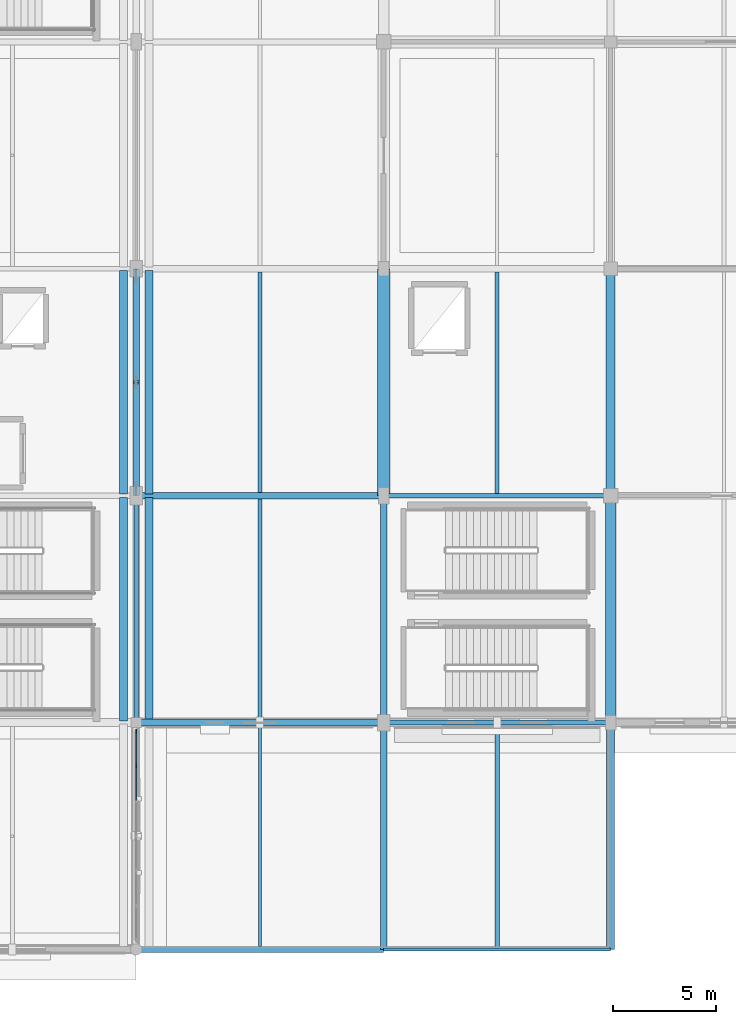
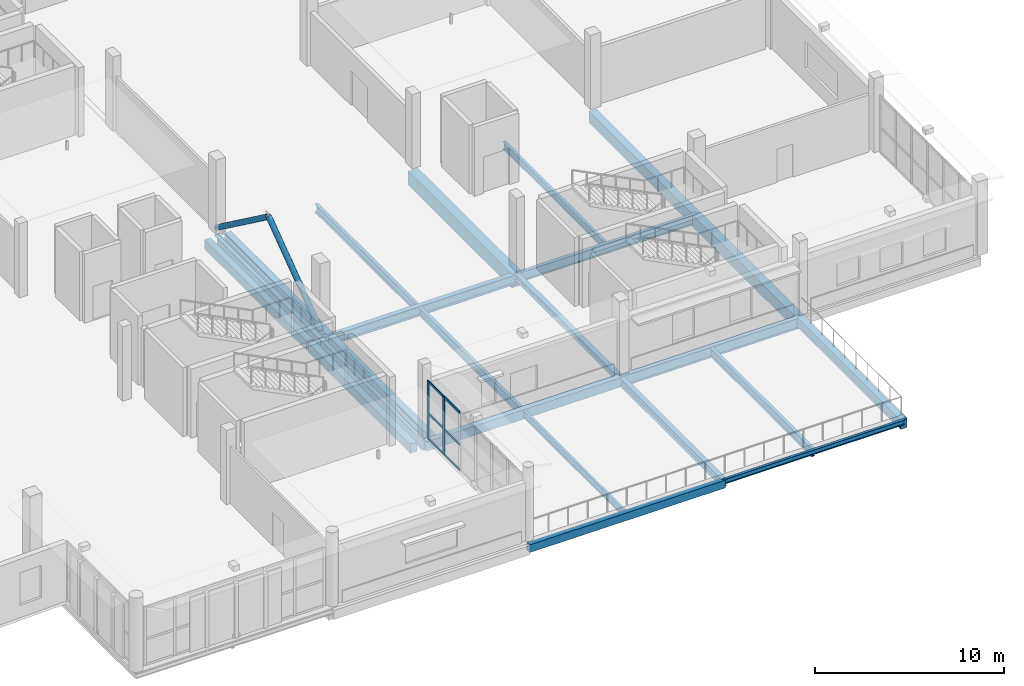
# One storey, part 58 of 143: 23 beams, 10 members, 1 element without a shape of its own.
"""IFC4 building model written with IfcOpenShell, lengths in metres."""

import ifcopenshell
import ifcopenshell.guid

model = None  # the IFC model being written
_history = None  # IfcOwnerHistory: only IFC2X3 demands one
_inside = {}  # id of a spatial element -> (the spatial element, [elements in it])
_under = {}  # id of a project, library or spatial element -> (it, [spatial elements below it])
_declared = {}  # id of a project -> (the project, [libraries it declares])
_typed = {}  # id of a type object -> (the type object, [elements of that type])
_made_of = {}  # id of a material, layer set ... -> (it, [elements and type objects made of it])


def new_model(schema):
    """Start an empty IFC model of exactly this schema.

    Asked for "IFC4X3", IfcOpenShell would pick the latest addendum, in which some entities
    have other attributes; the version numbers below select the first issue.
    IFC2X3 requires an IfcOwnerHistory on every rooted entity: one is made here for all.
    """
    global model, _history
    if schema == "IFC4X3":
        model = ifcopenshell.file(schema_version=(4, 3, 0, 0))
    else:
        model = ifcopenshell.file(schema=schema)
    _inside.clear()
    _under.clear()
    _declared.clear()
    _typed.clear()
    _made_of.clear()
    _history = None
    if model.schema == "IFC2X3":
        org = make("IfcOrganization", Name="unknown")
        user = make(
            "IfcPersonAndOrganization",
            ThePerson=make("IfcPerson", FamilyName="unknown"),
            TheOrganization=org,
        )
        app = make(
            "IfcApplication",
            ApplicationDeveloper=org,
            Version="unknown",
            ApplicationFullName="unknown",
            ApplicationIdentifier="unknown",
        )
        _history = make(
            "IfcOwnerHistory",
            OwningUser=user,
            OwningApplication=app,
            ChangeAction="ADDED",
            CreationDate=0,
        )
    return model


def make(cls, **values):
    """One entity of the class cls with the attributes given. An attribute that is None is left unset."""
    return model.create_entity(
        cls, **{name: value for name, value in values.items() if value is not None}
    )


def rooted(cls, **values):
    """An entity with a GlobalId (a new one), such as an element, a storey or a relation."""
    return make(cls, GlobalId=ifcopenshell.guid.new(), OwnerHistory=_history, **values)


def si_unit(unit_type, name, prefix=None):
    """IfcSIUnit, for example si_unit("LENGTHUNIT", "METRE", prefix="MILLI")."""
    return make("IfcSIUnit", UnitType=unit_type, Prefix=prefix, Name=name)


def assignment(units):
    """IfcUnitAssignment: the units of a project."""
    return None if units is None else make("IfcUnitAssignment", Units=units)


def point(xyz):
    """IfcCartesianPoint."""
    return None if xyz is None else make("IfcCartesianPoint", Coordinates=xyz)


def direction(xyz):
    """IfcDirection."""
    return None if xyz is None else make("IfcDirection", DirectionRatios=xyz)


def frame(location, z_axis=None, x_axis=None):
    """IfcAxis2Placement3D, a coordinate frame: its origin and axes. An axis left out is left unset."""
    return make(
        "IfcAxis2Placement3D",
        Location=point(location),
        Axis=direction(z_axis),
        RefDirection=direction(x_axis),
    )


def frame_2d(location, x_axis=None):
    """IfcAxis2Placement2D, a coordinate frame in the plane: its origin and x axis."""
    return make(
        "IfcAxis2Placement2D", Location=point(location), RefDirection=direction(x_axis)
    )


def origin():
    """The frame at (0, 0, 0) with its axes left unset."""
    return frame((0.0, 0.0, 0.0))


def origin_2d():
    """The frame at (0, 0) in the plane with its x axis left unset."""
    return frame_2d((0.0, 0.0))


def place(relative_to, where):
    """IfcLocalPlacement: puts the frame where relative to a parent placement (None: the world)."""
    return make(
        "IfcLocalPlacement", PlacementRelTo=relative_to, RelativePlacement=where
    )


def context(
    kind, dimensions, precision=None, world=None, true_north=None, identifier=None
):
    """IfcGeometricRepresentationContext, for example the 3D "Model" context."""
    return make(
        "IfcGeometricRepresentationContext",
        ContextIdentifier=identifier,
        ContextType=kind,
        CoordinateSpaceDimension=dimensions,
        Precision=precision,
        WorldCoordinateSystem=world,
        TrueNorth=true_north,
    )


def subcontext(parent, identifier, kind, view, scale=None):
    """IfcGeometricRepresentationSubContext, for example "Body" below "Model"."""
    return make(
        "IfcGeometricRepresentationSubContext",
        ContextIdentifier=identifier,
        ContextType=kind,
        ParentContext=parent,
        TargetScale=scale,
        TargetView=view,
    )


def project(units=None, contexts=None):
    """IfcProject with its units and contexts."""
    return rooted(
        "IfcProject",
        Name="project",
        RepresentationContexts=contexts,
        UnitsInContext=assignment(units),
    )


def spatial(cls, under=None, at=None, **own):
    """A site, building, storey or space (cls), placed at a placement, below another one or the project."""
    s = rooted(cls, ObjectPlacement=at, **own)
    if under is not None:
        _under.setdefault(under.id(), (under, []))[1].append(s)
    return s


def profile(cls, at=None, kind="AREA", **sizes):
    """A parametric profile (cls). Its sizes go by their IFC names, for example OverallWidth=200.0."""
    return make(cls, ProfileType=kind, Position=at, **sizes)


def rectangle(**sizes):
    """IfcRectangleProfileDef."""
    return profile("IfcRectangleProfileDef", **sizes)


def hollow_rectangle(**sizes):
    """IfcRectangleHollowProfileDef."""
    return profile("IfcRectangleHollowProfileDef", **sizes)


def hollow_circle(**sizes):
    """IfcCircleHollowProfileDef."""
    return profile("IfcCircleHollowProfileDef", **sizes)


def i_section(**sizes):
    """IfcIShapeProfileDef."""
    return profile("IfcIShapeProfileDef", **sizes)


def extrude(swept, where, along, depth):
    """IfcExtrudedAreaSolid: the profile swept, set in the frame where, extruded along a direction by depth."""
    return make(
        "IfcExtrudedAreaSolid",
        SweptArea=swept,
        Position=where,
        ExtrudedDirection=direction(along),
        Depth=depth,
    )


def shape(context_of_items, identifier, shape_type, items):
    """IfcShapeRepresentation: the items that make up one representation, for example the "Body"."""
    return make(
        "IfcShapeRepresentation",
        ContextOfItems=context_of_items,
        RepresentationIdentifier=identifier,
        RepresentationType=shape_type,
        Items=items,
    )


def material(Name=None, Category=None):
    """IfcMaterial."""
    return make("IfcMaterial", Name=Name, Category=Category)


def material_profile(
    of_material, cross_section, Name=None, Category=None, Priority=None
):
    """IfcMaterialProfile: a cross section and its material."""
    return make(
        "IfcMaterialProfile",
        Name=Name,
        Material=of_material,
        Profile=cross_section,
        Priority=Priority,
        Category=Category,
    )


def profile_set(profiles, Name=None, composite=None):
    """IfcMaterialProfileSet."""
    return make(
        "IfcMaterialProfileSet",
        Name=Name,
        MaterialProfiles=profiles,
        CompositeProfile=composite,
    )


def made_of(thing, what):
    """Note that an element or type object is made of a material, layer set ...; save() writes the relation."""
    if what is not None:
        _made_of.setdefault(what.id(), (what, []))[1].append(thing)
    return thing


def type_object(cls, material=None, **own):
    """A type object (cls), such as IfcWallType, which elements share."""
    return made_of(rooted(cls, **own), material)


def element(
    cls,
    number,
    at=None,
    inside=None,
    cuts=None,
    type_object=None,
    material=None,
    context=None,
    identifier="Body",
    shape_type=None,
    held_by="IfcProductDefinitionShape",
    body=None,
    shapes=None,
    **own,
):
    """One element of the class cls, such as IfcWall. Its Tag is "e" and its number.

    at: its placement. inside: the storey or other place that contains it. cuts: it is an
    opening in that element (IfcRelVoidsElement). A single representation is given by context,
    identifier, shape_type and body (its items); several are given by shapes. held_by: the class
    of the entity that holds the representations. save() writes the other relations.
    """
    e = rooted(cls, Tag="e%d" % number, ObjectPlacement=at, **own)
    if body is not None:
        shapes = [shape(context, identifier, shape_type, body)]
    if shapes is not None:
        e.Representation = make(held_by, Representations=shapes)
    if inside is not None:
        _inside.setdefault(inside.id(), (inside, []))[1].append(e)
    if cuts is not None:
        rooted(
            "IfcRelVoidsElement", RelatingBuildingElement=cuts, RelatedOpeningElement=e
        )
    if type_object is not None:
        _typed.setdefault(type_object.id(), (type_object, []))[1].append(e)
    return made_of(e, material)


def aggregate(whole, parts):
    """IfcRelAggregates: a whole, such as a stair, and the parts it consists of."""
    return rooted("IfcRelAggregates", RelatingObject=whole, RelatedObjects=parts)


def save(model, path):
    """Write the relations noted so far, then the file.

    IfcRelAggregates (storeys below a building ...), IfcRelContainedInSpatialStructure (elements
    in a storey), IfcRelDefinesByType, IfcRelAssociatesMaterial and IfcRelDeclares: one each for
    every whole, place, type object, material and project.
    """
    for whole, parts in _under.values():
        aggregate(whole, parts)
    for where, things in _inside.values():
        rooted(
            "IfcRelContainedInSpatialStructure",
            RelatedElements=things,
            RelatingStructure=where,
        )
    for kind, things in _typed.values():
        rooted("IfcRelDefinesByType", RelatedObjects=things, RelatingType=kind)
    for what, things in _made_of.values():
        rooted("IfcRelAssociatesMaterial", RelatedObjects=things, RelatingMaterial=what)
    for by, libraries in _declared.values():
        rooted("IfcRelDeclares", RelatingContext=by, RelatedDefinitions=libraries)
    model.write(path)


model = new_model("IFC4")

# Units and contexts
model_context = context("Model", 3, precision=1e-05, world=origin(), true_north=direction((0.0, 1.0)))
body_context = subcontext(model_context, "Body", "Model", "MODEL_VIEW")
ifc_project = project(units=[si_unit("LENGTHUNIT", "METRE"), si_unit("AREAUNIT", "SQUARE_METRE"), si_unit("VOLUMEUNIT", "CUBIC_METRE"), si_unit("PLANEANGLEUNIT", "RADIAN"), si_unit("MASSUNIT", "GRAM", prefix="KILO")], contexts=[model_context])

# Site, building, storey
site_placement = place(None, origin())
site = spatial("IfcSite", under=ifc_project, at=site_placement, CompositionType="ELEMENT")
building_placement = place(site_placement, origin())
building = spatial("IfcBuilding", under=site, at=building_placement, Name="Luwafu Chhajja Arena", CompositionType="ELEMENT")
storey_placement = place(building_placement, frame((0.0, 0.0, 5.39990234375)))
storey = spatial("IfcBuildingStorey", under=building, at=storey_placement, Name="L01", CompositionType="ELEMENT", Elevation=5.39990234375)

# Beam
ifc_material_1 = material(Name="Concrete C35/45", Category="concrete")
ifc_material_profile_1 = material_profile(ifc_material_1, rectangle(XDim=0.35009765625, YDim=0.60009765625, at=origin_2d()), Name="RC 350x600")
ifc_profile_set_1 = profile_set([ifc_material_profile_1], Name="Concrete C35/45")
beam_type_1 = type_object("IfcBeamType", Name="Arcade Tie Beam RC 350x600", PredefinedType="BEAM", material=ifc_profile_set_1)
beam_1_placement = place(storey_placement, frame((164.0, 11.0, -0.6298828125), z_axis=(1.0, 0.0, 0.0), x_axis=(0.0, 1.0, 0.0)))
element("IfcBeam", 1, at=beam_1_placement, inside=storey, type_object=beam_type_1, Name="L01 Grid Beam 15-16/B", PredefinedType="BEAM", context=body_context, shape_type="SweptSolid", body=[
    extrude(rectangle(XDim=0.35009765625, YDim=0.60009765625, at=origin_2d()), origin(), (0.0, 0.0, 1.0), 12.0),
])

# Curtain wall, members
ifc_material_2 = material(Name="Anodised bronze aluminium", Category="aluminium")
curtain_wall_type = type_object("IfcCurtainWallType", Name="Foyer Luwafu Street Curtain Wall", PredefinedType="USERDEFINED", material=ifc_material_2)
curtain_wall_placement = place(storey_placement, origin())
curtain_wall = element("IfcCurtainWall", 2, at=curtain_wall_placement, inside=storey, type_object=curtain_wall_type, Name="L01 Curtain Wall CWG-L01-V14_00", ObjectType="CURTAIN WALL", PredefinedType="USERDEFINED")
ifc_material_profile_2 = material_profile(ifc_material_2, rectangle(XDim=0.06494140625, YDim=0.199951171875, at=origin_2d()), Name="CWM 65x200")
ifc_profile_set_2 = profile_set([ifc_material_profile_2], Name="Anodised bronze aluminium")
member_type_1 = type_object("IfcMemberType", Name="Bronze Curtain Wall Mullion 65x200", PredefinedType="MULLION", material=ifc_profile_set_2)
member_1_placement = place(storey_placement, frame((164.0, 8.910888671875, 0.030029296875), z_axis=(0.0, 0.0, 1.0), x_axis=(-1.0, 0.0, 0.0)))
member_1 = element("IfcMember", 3, at=member_1_placement, type_object=member_type_1, Name="CW-05 mullion 6", PredefinedType="MULLION", context=body_context, shape_type="SweptSolid", body=[
    extrude(rectangle(XDim=0.06494140625, YDim=0.199951171875, at=origin_2d()), origin(), (0.0, 0.0, 1.0), 3.760009765625),
])
member_2_placement = place(storey_placement, frame((164.0, 10.577392578125, 0.030029296875), z_axis=(0.0, 0.0, 1.0), x_axis=(-1.0, 0.0, 0.0)))
member_2 = element("IfcMember", 4, at=member_2_placement, type_object=member_type_1, Name="CW-05 mullion 7", PredefinedType="MULLION", context=body_context, shape_type="SweptSolid", body=[
    extrude(rectangle(XDim=0.06494140625, YDim=0.199951171875, at=origin_2d()), origin(), (0.0, 0.0, 1.0), 3.760009765625),
])
ifc_material_profile_3 = material_profile(ifc_material_2, rectangle(XDim=0.06494140625, YDim=0.14990234375, at=origin_2d()), Name="CWT 65x150")
ifc_profile_set_3 = profile_set([ifc_material_profile_3], Name="Anodised bronze aluminium")
member_type_2 = type_object("IfcMemberType", Name="Bronze Curtain Wall Transom 65x150", PredefinedType="USERDEFINED", material=ifc_profile_set_3)
member_3_placement = place(storey_placement, frame((164.0, 7.244140625, 0.0625), z_axis=(0.0, 1.0, 0.0), x_axis=(-1.0, 0.0, 0.0)))
member_3 = element("IfcMember", 5, at=member_3_placement, type_object=member_type_2, Name="CW-05 transom 5.1", ObjectType="TRANSOM", PredefinedType="USERDEFINED", context=body_context, shape_type="SweptSolid", body=[
    extrude(rectangle(XDim=0.06494140625, YDim=0.14990234375, at=origin_2d()), origin(), (0.0, 0.0, 1.0), 1.63427734375),
])
member_4_placement = place(storey_placement, frame((164.0, 7.244140625, 1.70556640625), z_axis=(0.0, 1.0, 0.0), x_axis=(-1.0, 0.0, 0.0)))
member_4 = element("IfcMember", 6, at=member_4_placement, type_object=member_type_2, Name="CW-05 transom 5.2", ObjectType="TRANSOM", PredefinedType="USERDEFINED", context=body_context, shape_type="SweptSolid", body=[
    extrude(rectangle(XDim=0.06494140625, YDim=0.14990234375, at=origin_2d()), origin(), (0.0, 0.0, 1.0), 1.63427734375),
])
member_5_placement = place(storey_placement, frame((164.0, 7.244140625, 3.757568359375), z_axis=(0.0, 1.0, 0.0), x_axis=(-1.0, 0.0, 0.0)))
member_5 = element("IfcMember", 7, at=member_5_placement, type_object=member_type_2, Name="CW-05 transom 5.3", ObjectType="TRANSOM", PredefinedType="USERDEFINED", context=body_context, shape_type="SweptSolid", body=[
    extrude(rectangle(XDim=0.06494140625, YDim=0.14990234375, at=origin_2d()), origin(), (0.0, 0.0, 1.0), 1.63427734375),
])
member_6_placement = place(storey_placement, frame((164.0, 8.943359375, 0.0625), z_axis=(0.0, 1.0, 0.0), x_axis=(-1.0, 0.0, 0.0)))
member_6 = element("IfcMember", 8, at=member_6_placement, type_object=member_type_2, Name="CW-05 transom 6.1", ObjectType="TRANSOM", PredefinedType="USERDEFINED", context=body_context, shape_type="SweptSolid", body=[
    extrude(rectangle(XDim=0.06494140625, YDim=0.14990234375, at=origin_2d()), origin(), (0.0, 0.0, 1.0), 1.6015625),
])
member_7_placement = place(storey_placement, frame((164.0, 8.943359375, 1.70556640625), z_axis=(0.0, 1.0, 0.0), x_axis=(-1.0, 0.0, 0.0)))
member_7 = element("IfcMember", 9, at=member_7_placement, type_object=member_type_2, Name="CW-05 transom 6.2", ObjectType="TRANSOM", PredefinedType="USERDEFINED", context=body_context, shape_type="SweptSolid", body=[
    extrude(rectangle(XDim=0.06494140625, YDim=0.14990234375, at=origin_2d()), origin(), (0.0, 0.0, 1.0), 1.6015625),
])
member_8_placement = place(storey_placement, frame((164.0, 8.943359375, 3.757568359375), z_axis=(0.0, 1.0, 0.0), x_axis=(-1.0, 0.0, 0.0)))
member_8 = element("IfcMember", 10, at=member_8_placement, type_object=member_type_2, Name="CW-05 transom 6.3", ObjectType="TRANSOM", PredefinedType="USERDEFINED", context=body_context, shape_type="SweptSolid", body=[
    extrude(rectangle(XDim=0.06494140625, YDim=0.14990234375, at=origin_2d()), origin(), (0.0, 0.0, 1.0), 1.6015625),
])
aggregate(curtain_wall, [member_1, member_2, member_3, member_4, member_5, member_6, member_7, member_8])

# Beams
ifc_material_3 = material(Name="Steel S355", Category="steel")
ifc_material_profile_4 = material_profile(ifc_material_3, i_section(OverallWidth=0.165771484375, OverallDepth=0.306640625, WebThickness=0.006591796875, FlangeThickness=0.01171875, at=origin_2d()), Name="UB 305x165x46")
ifc_profile_set_4 = profile_set([ifc_material_profile_4], Name="Steel S355")
beam_type_2 = type_object("IfcBeamType", Name="Concourse Edge Spandrel Beam UB 305x165x46", PredefinedType="SPANDREL", material=ifc_profile_set_4)
beam_2_placement = place(storey_placement, frame((176.0, 0.0, -0.483154296875), z_axis=(1.0, 0.0, 0.0), x_axis=(0.0, 1.0, 0.0)))
element("IfcBeam", 11, at=beam_2_placement, inside=storey, type_object=beam_type_2, Name="L01 Grid Beam 16-17/A", PredefinedType="SPANDREL", context=body_context, shape_type="SweptSolid", body=[
    extrude(i_section(OverallWidth=0.165771484375, OverallDepth=0.306640625, WebThickness=0.006591796875, FlangeThickness=0.01171875, at=origin_2d()), origin(), (0.0, 0.0, 1.0), 11.0),
])
ifc_material_profile_5 = material_profile(ifc_material_1, rectangle(XDim=0.60009765625, YDim=0.89990234375, at=origin_2d()), Name="RC 600x900")
ifc_profile_set_5 = profile_set([ifc_material_profile_5], Name="Concrete C35/45")
beam_type_3 = type_object("IfcBeamType", Name="Concourse Primary Girder RC 600x900", PredefinedType="BEAM", material=ifc_profile_set_5)
beam_3_placement = place(storey_placement, frame((176.0, 22.0, -0.77978515625), z_axis=(0.0, 1.0, 0.0), x_axis=(-1.0, 0.0, 0.0)))
element("IfcBeam", 12, at=beam_3_placement, inside=storey, type_object=beam_type_3, Name="L01 Grid Beam 16/C-D", PredefinedType="BEAM", context=body_context, shape_type="SweptSolid", body=[
    extrude(rectangle(XDim=0.60009765625, YDim=0.89990234375, at=origin_2d()), origin(), (0.0, 0.0, 1.0), 11.0),
])

# Members
ifc_material_profile_6 = material_profile(ifc_material_3, hollow_circle(Radius=0.161865234375, WallThickness=0.012451171875, at=origin_2d()), Name="CHS 323.9x12.5")
ifc_profile_set_6 = profile_set([ifc_material_profile_6], Name="Steel S355")
member_type_3 = type_object("IfcMemberType", Name="Drum Lateral Chevron Brace CHS 324", PredefinedType="BRACE", material=ifc_profile_set_6)
for number, where, z_axis, x_axis, name in (
    (13, (164.0, 22.0, 0.1201171875), (0.0, 0.805936154003, 0.592002462555), (-1.0, 0.0, 0.0), "L01 Lateral Chevron Brace 08A"),
    (14, (164.0, 33.0, 0.1201171875), (0.0, -0.805936154003, 0.592002462555), (1.0, 0.0, 0.0), "L01 Lateral Chevron Brace 08B"),
):
    element("IfcMember", number, at=place(storey_placement, frame(where, z_axis=z_axis, x_axis=x_axis)), inside=storey, type_object=member_type_3, Name=name, PredefinedType="BRACE", context=body_context, shape_type="SweptSolid", body=[
        extrude(hollow_circle(Radius=0.161865234375, WallThickness=0.012451171875, at=origin_2d()), origin(), (0.0, 0.0, 1.0), 6.824462890625),
    ])

# Beams
ifc_material_profile_7 = material_profile(ifc_material_3, i_section(OverallWidth=0.15283203125, OverallDepth=0.45458984375, WebThickness=0.008056640625, FlangeThickness=0.01318359375, at=origin_2d()), Name="UB 457x152x60")
ifc_profile_set_7 = profile_set([ifc_material_profile_7], Name="Steel S355")
beam_type_4 = type_object("IfcBeamType", Name="Floor Joist UB 457x152x60", PredefinedType="JOIST", material=ifc_profile_set_7)
beam_4_placement = place(storey_placement, frame((170.0, 0.14990234375, -0.55712890625), z_axis=(0.0, 1.0, 0.0), x_axis=(-1.0, 0.0, 0.0)))
element("IfcBeam", 15, at=beam_4_placement, inside=storey, type_object=beam_type_4, Name="L01 Secondary Joist 15-16/A", PredefinedType="JOIST", context=body_context, shape_type="SweptSolid", body=[
    extrude(i_section(OverallWidth=0.15283203125, OverallDepth=0.45458984375, WebThickness=0.008056640625, FlangeThickness=0.01318359375, at=origin_2d()), origin(), (0.0, 0.0, 1.0), 10.675048828125),
])
ifc_material_profile_8 = material_profile(ifc_material_3, i_section(OverallWidth=0.19140625, OverallDepth=0.4599609375, WebThickness=0.010009765625, FlangeThickness=0.01611328125, at=origin_2d()), Name="UB 457x191x82")
ifc_profile_set_8 = profile_set([ifc_material_profile_8], Name="Steel S355")
beam_type_5 = type_object("IfcBeamType", Name="Floor Joist UB 457x191x82", PredefinedType="JOIST", material=ifc_profile_set_8)
beam_5_placement = place(storey_placement, frame((181.5, 22.114501953125, -0.559814453125), z_axis=(0.0, 1.0, 0.0), x_axis=(-1.0, 0.0, 0.0)))
element("IfcBeam", 16, at=beam_5_placement, inside=storey, type_object=beam_type_5, Name="L01 Secondary Joist 16-17/C", PredefinedType="JOIST", context=body_context, shape_type="SweptSolid", body=[
    extrude(i_section(OverallWidth=0.19140625, OverallDepth=0.4599609375, WebThickness=0.010009765625, FlangeThickness=0.01611328125, at=origin_2d()), origin(), (0.0, 0.0, 1.0), 10.735595703125),
])
ifc_material_profile_9 = material_profile(ifc_material_3, i_section(OverallWidth=0.2099609375, OverallDepth=0.53662109375, WebThickness=0.0107421875, FlangeThickness=0.017333984375, at=origin_2d()), Name="UB 533x210x101")
ifc_profile_set_9 = profile_set([ifc_material_profile_9], Name="Steel S355")
beam_type_6 = type_object("IfcBeamType", Name="Floor Joist UB 533x210x101", PredefinedType="JOIST", material=ifc_profile_set_9)
beam_6_placement = place(storey_placement, frame((170.0, 11.175048828125, -0.59814453125), z_axis=(0.0, 1.0, 0.0), x_axis=(-1.0, 0.0, 0.0)))
element("IfcBeam", 17, at=beam_6_placement, inside=storey, type_object=beam_type_6, Name="L01 Secondary Joist 15-16/B", PredefinedType="JOIST", context=body_context, shape_type="SweptSolid", body=[
    extrude(i_section(OverallWidth=0.2099609375, OverallDepth=0.53662109375, WebThickness=0.0107421875, FlangeThickness=0.017333984375, at=origin_2d()), origin(), (0.0, 0.0, 1.0), 10.67138671875),
])
beam_7_placement = place(storey_placement, frame((181.5, 0.082763671875, -0.59814453125), z_axis=(0.0, 1.0, 0.0), x_axis=(-1.0, 0.0, 0.0)))
element("IfcBeam", 18, at=beam_7_placement, inside=storey, type_object=beam_type_6, Name="L01 Secondary Joist 16-17/A", PredefinedType="JOIST", context=body_context, shape_type="SweptSolid", body=[
    extrude(i_section(OverallWidth=0.2099609375, OverallDepth=0.53662109375, WebThickness=0.0107421875, FlangeThickness=0.017333984375, at=origin_2d()), origin(), (0.0, 0.0, 1.0), 10.79052734375),
])
ifc_material_profile_10 = material_profile(ifc_material_3, i_section(OverallWidth=0.209228515625, OverallDepth=0.533203125, WebThickness=0.010009765625, FlangeThickness=0.015625, at=origin_2d()), Name="UB 533x210x92")
ifc_profile_set_10 = profile_set([ifc_material_profile_10], Name="Steel S355")
beam_type_7 = type_object("IfcBeamType", Name="Floor Joist UB 533x210x92", PredefinedType="JOIST", material=ifc_profile_set_10)
beam_8_placement = place(storey_placement, frame((170.0, 22.153564453125, -0.596435546875), z_axis=(0.0, 1.0, 0.0), x_axis=(-1.0, 0.0, 0.0)))
element("IfcBeam", 19, at=beam_8_placement, inside=storey, type_object=beam_type_7, Name="L01 Secondary Joist 15-16/C", PredefinedType="JOIST", context=body_context, shape_type="SweptSolid", body=[
    extrude(i_section(OverallWidth=0.209228515625, OverallDepth=0.533203125, WebThickness=0.010009765625, FlangeThickness=0.015625, at=origin_2d()), origin(), (0.0, 0.0, 1.0), 10.696533203125),
])
ifc_material_profile_11 = material_profile(ifc_material_1, rectangle(XDim=0.5, YDim=0.800048828125, at=origin_2d()), Name="RC 500x800")
ifc_profile_set_11 = profile_set([ifc_material_profile_11], Name="Concrete C35/45")
beam_type_8 = type_object("IfcBeamType", Name="Hospitality Primary Beam RC 500x800", PredefinedType="BEAM", material=ifc_profile_set_11)
beam_9_placement = place(storey_placement, frame((187.0, 11.0, -0.72998046875), z_axis=(0.0, 1.0, 0.0), x_axis=(-1.0, 0.0, 0.0)))
element("IfcBeam", 20, at=beam_9_placement, inside=storey, type_object=beam_type_8, Name="L01 Grid Beam 17/B-C", PredefinedType="BEAM", context=body_context, shape_type="SweptSolid", body=[
    extrude(rectangle(XDim=0.5, YDim=0.800048828125, at=origin_2d()), origin(), (0.0, 0.0, 1.0), 11.0),
])
ifc_material_profile_12 = material_profile(ifc_material_3, hollow_rectangle(XDim=0.300048828125, YDim=0.5, WallThickness=0.02001953125, at=origin_2d()), Name="RHS 500x300x20")
ifc_profile_set_12 = profile_set([ifc_material_profile_12], Name="Steel S355")
beam_type_9 = type_object("IfcBeamType", Name="Pleated Drum Spandrel Beam RHS 500x300", PredefinedType="SPANDREL", material=ifc_profile_set_12)
beam_10_placement = place(storey_placement, frame((164.0, 0.0, -0.579833984375), z_axis=(1.0, 0.0, 0.0), x_axis=(0.0, 1.0, 0.0)))
element("IfcBeam", 21, at=beam_10_placement, inside=storey, type_object=beam_type_9, Name="L01 Grid Beam 15-16/A", PredefinedType="SPANDREL", context=body_context, shape_type="SweptSolid", body=[
    extrude(hollow_rectangle(XDim=0.300048828125, YDim=0.5, WallThickness=0.02001953125, at=origin_2d()), origin(), (0.0, 0.0, 1.0), 12.0),
])
ifc_material_profile_13 = material_profile(ifc_material_1, rectangle(XDim=0.39990234375, YDim=0.60009765625, at=origin_2d()), Name="RC 400x600")
ifc_profile_set_13 = profile_set([ifc_material_profile_13], Name="Concrete C35/45")
beam_type_10 = type_object("IfcBeamType", Name="Podium Perimeter Spandrel RC 400x600", PredefinedType="SPANDREL", material=ifc_profile_set_13)
beam_11_placement = place(storey_placement, frame((187.0, 0.0, -0.6298828125), z_axis=(0.0, 1.0, 0.0), x_axis=(-1.0, 0.0, 0.0)))
element("IfcBeam", 22, at=beam_11_placement, inside=storey, type_object=beam_type_10, Name="L01 Grid Beam 17/A-B", PredefinedType="SPANDREL", context=body_context, shape_type="SweptSolid", body=[
    extrude(rectangle(XDim=0.39990234375, YDim=0.60009765625, at=origin_2d()), origin(), (0.0, 0.0, 1.0), 11.0),
])
for number, where, z_axis, x_axis, name in (
    (23, (163.3798828125, 11.080078125, -0.6298828125), (0.0, 1.0, 0.0), (-1.0, 0.0, 0.0), "L01 Movement Joint MJ2W Seat Girder 01"),
    (24, (163.3798828125, 22.080078125, -0.6298828125), (0.0, 1.0, 0.0), (-1.0, 0.0, 0.0), "L01 Movement Joint MJ2W Seat Girder 02"),
    (25, (164.6201171875, 11.080078125, -0.6298828125), (0.0, 1.0, 0.0), (-1.0, 0.0, 0.0), "L01 Movement Joint MJ2E Seat Girder 01"),
    (26, (164.6201171875, 22.080078125, -0.6298828125), (0.0, 1.0, 0.0), (-1.0, 0.0, 0.0), "L01 Movement Joint MJ2E Seat Girder 02"),
):
    element("IfcBeam", number, at=place(storey_placement, frame(where, z_axis=z_axis, x_axis=x_axis)), inside=storey, type_object=beam_type_10, Name=name, PredefinedType="SPANDREL", context=body_context, shape_type="SweptSolid", body=[
        extrude(rectangle(XDim=0.39990234375, YDim=0.60009765625, at=origin_2d()), origin(), (0.0, 0.0, 1.0), 10.83984375),
    ])
ifc_material_profile_14 = material_profile(ifc_material_3, i_section(OverallWidth=0.300048828125, OverallDepth=0.5, WebThickness=0.014404296875, FlangeThickness=0.028076171875, at=origin_2d()), Name="HEB 500")
ifc_profile_set_14 = profile_set([ifc_material_profile_14], Name="Steel S355")
beam_type_11 = type_object("IfcBeamType", Name="Steel Atrium Tie Girder HEB 500", PredefinedType="BEAM", material=ifc_profile_set_14)
beam_12_placement = place(storey_placement, frame((176.0, 0.0, -0.579833984375), z_axis=(0.0, 1.0, 0.0), x_axis=(-1.0, 0.0, 0.0)))
element("IfcBeam", 27, at=beam_12_placement, inside=storey, type_object=beam_type_11, Name="L01 Grid Beam 16/A-B", PredefinedType="BEAM", context=body_context, shape_type="SweptSolid", body=[
    extrude(i_section(OverallWidth=0.300048828125, OverallDepth=0.5, WebThickness=0.014404296875, FlangeThickness=0.028076171875, at=origin_2d()), origin(), (0.0, 0.0, 1.0), 11.0),
])
ifc_material_profile_15 = material_profile(ifc_material_3, i_section(OverallWidth=0.253662109375, OverallDepth=0.68359375, WebThickness=0.012451171875, FlangeThickness=0.01904296875, at=origin_2d()), Name="UB 686x254x140")
ifc_profile_set_15 = profile_set([ifc_material_profile_15], Name="Steel S355")
beam_type_12 = type_object("IfcBeamType", Name="Steel Concourse Girder UB 686x254x140", PredefinedType="BEAM", material=ifc_profile_set_15)
beam_13_placement = place(storey_placement, frame((176.0, 11.0, -0.671630859375), z_axis=(1.0, 0.0, 0.0), x_axis=(0.0, 1.0, 0.0)))
element("IfcBeam", 28, at=beam_13_placement, inside=storey, type_object=beam_type_12, Name="L01 Grid Beam 16-17/B", PredefinedType="BEAM", context=body_context, shape_type="SweptSolid", body=[
    extrude(i_section(OverallWidth=0.253662109375, OverallDepth=0.68359375, WebThickness=0.012451171875, FlangeThickness=0.01904296875, at=origin_2d()), origin(), (0.0, 0.0, 1.0), 11.0),
])
ifc_material_profile_16 = material_profile(ifc_material_3, i_section(OverallWidth=0.300048828125, OverallDepth=0.60009765625, WebThickness=0.015380859375, FlangeThickness=0.030029296875, at=origin_2d()), Name="HEB 600")
ifc_profile_set_16 = profile_set([ifc_material_profile_16], Name="Steel S355")
beam_type_13 = type_object("IfcBeamType", Name="Steel Gallery Girder HEB 600", PredefinedType="BEAM", material=ifc_profile_set_16)
beam_14_placement = place(storey_placement, frame((164.0, 22.0, -0.6298828125), z_axis=(0.0, 1.0, 0.0), x_axis=(-1.0, 0.0, 0.0)))
element("IfcBeam", 29, at=beam_14_placement, inside=storey, type_object=beam_type_13, Name="L01 Grid Beam 15/C-D", PredefinedType="BEAM", context=body_context, shape_type="SweptSolid", body=[
    extrude(i_section(OverallWidth=0.300048828125, OverallDepth=0.60009765625, WebThickness=0.015380859375, FlangeThickness=0.030029296875, at=origin_2d()), origin(), (0.0, 0.0, 1.0), 11.0),
])
ifc_material_profile_17 = material_profile(ifc_material_3, i_section(OverallWidth=0.30712890625, OverallDepth=0.6201171875, WebThickness=0.01416015625, FlangeThickness=0.023681640625, at=origin_2d()), Name="UB 610x305x179")
ifc_profile_set_17 = profile_set([ifc_material_profile_17], Name="Steel S355")
beam_type_14 = type_object("IfcBeamType", Name="Steel Hospitality Girder UB 610x305x179", PredefinedType="BEAM", material=ifc_profile_set_17)
beam_15_placement = place(storey_placement, frame((164.0, 22.0, -0.639892578125), z_axis=(1.0, 0.0, 0.0), x_axis=(0.0, 1.0, 0.0)))
element("IfcBeam", 30, at=beam_15_placement, inside=storey, type_object=beam_type_14, Name="L01 Grid Beam 15-16/C", PredefinedType="BEAM", context=body_context, shape_type="SweptSolid", body=[
    extrude(i_section(OverallWidth=0.30712890625, OverallDepth=0.6201171875, WebThickness=0.01416015625, FlangeThickness=0.023681640625, at=origin_2d()), origin(), (0.0, 0.0, 1.0), 12.0),
])
ifc_material_profile_18 = material_profile(ifc_material_3, i_section(OverallWidth=0.22900390625, OverallDepth=0.6123046875, WebThickness=0.011962890625, FlangeThickness=0.01953125, at=origin_2d()), Name="UB 610x229x125")
ifc_profile_set_18 = profile_set([ifc_material_profile_18], Name="Steel S355")
beam_type_15 = type_object("IfcBeamType", Name="Steel Mezzanine Girder UB 610x229x125", PredefinedType="BEAM", material=ifc_profile_set_18)
for number, where, z_axis, x_axis, name in (
    (31, (176.0, 22.0, -0.635986328125), (1.0, 0.0, 0.0), (0.0, 1.0, 0.0), "L01 Grid Beam 16-17/C"),
    (32, (164.0, 11.0, -0.635986328125), (0.0, 1.0, 0.0), (-1.0, 0.0, 0.0), "L01 Grid Beam 15/B-C"),
):
    element("IfcBeam", number, at=place(storey_placement, frame(where, z_axis=z_axis, x_axis=x_axis)), inside=storey, type_object=beam_type_15, Name=name, PredefinedType="BEAM", context=body_context, shape_type="SweptSolid", body=[
        extrude(i_section(OverallWidth=0.22900390625, OverallDepth=0.6123046875, WebThickness=0.011962890625, FlangeThickness=0.01953125, at=origin_2d()), origin(), (0.0, 0.0, 1.0), 11.0),
    ])
ifc_material_profile_19 = material_profile(ifc_material_3, i_section(OverallWidth=0.300048828125, OverallDepth=0.39990234375, WebThickness=0.013427734375, FlangeThickness=0.02392578125, at=origin_2d()), Name="HEB 400")
ifc_profile_set_19 = profile_set([ifc_material_profile_19], Name="Steel S355")
beam_type_16 = type_object("IfcBeamType", Name="Steel Rigging Grid Beam HEB 400", PredefinedType="BEAM", material=ifc_profile_set_19)
beam_16_placement = place(storey_placement, frame((176.0, 11.0, -0.52978515625), z_axis=(0.0, 1.0, 0.0), x_axis=(-1.0, 0.0, 0.0)))
element("IfcBeam", 33, at=beam_16_placement, inside=storey, type_object=beam_type_16, Name="L01 Grid Beam 16/B-C", PredefinedType="BEAM", context=body_context, shape_type="SweptSolid", body=[
    extrude(i_section(OverallWidth=0.300048828125, OverallDepth=0.39990234375, WebThickness=0.013427734375, FlangeThickness=0.02392578125, at=origin_2d()), origin(), (0.0, 0.0, 1.0), 11.0),
])
ifc_material_profile_20 = material_profile(ifc_material_1, rectangle(XDim=0.449951171875, YDim=0.75, at=origin_2d()), Name="RC 450x750")
ifc_profile_set_20 = profile_set([ifc_material_profile_20], Name="Concrete C35/45")
beam_type_17 = type_object("IfcBeamType", Name="Wing Primary Beam RC 450x750", PredefinedType="BEAM", material=ifc_profile_set_20)
beam_17_placement = place(storey_placement, frame((187.0, 22.0, -0.704833984375), z_axis=(0.0, 1.0, 0.0), x_axis=(-1.0, 0.0, 0.0)))
element("IfcBeam", 34, at=beam_17_placement, inside=storey, type_object=beam_type_17, Name="L01 Grid Beam 17/C-D", PredefinedType="BEAM", context=body_context, shape_type="SweptSolid", body=[
    extrude(rectangle(XDim=0.449951171875, YDim=0.75, at=origin_2d()), origin(), (0.0, 0.0, 1.0), 11.0),
])

save(model, "model.ifc")
